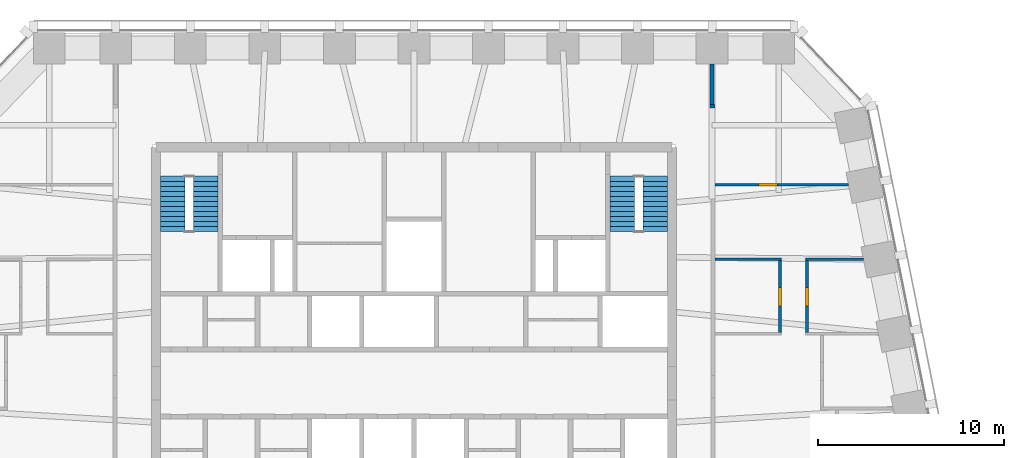
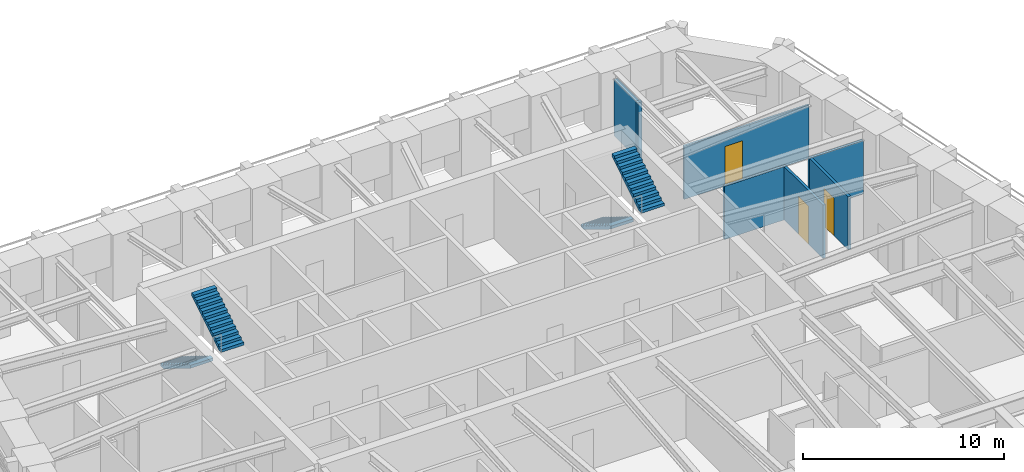
# One storey, part 10 of 12: 7 walls, 4 stair flights, 3 doors, 3 openings, 2 elements without a shape of their own.
"""IFC4 building model written with IfcOpenShell, lengths in metres."""

from ifc_helpers import new_model, si_unit, direction, frame, frame_2d, origin, place, context, subcontext, project, spatial, polyline, rectangle, outline, extrude, material, layer, layer_set, type_object, element, fill, aggregate, save


model = new_model("IFC4")

# Units and contexts
model_context = context("Model", 3, precision=1e-05, world=origin(), true_north=direction((0.0, 1.0)))
body_context = subcontext(model_context, "Body", "Model", "MODEL_VIEW")
ifc_project = project(units=[si_unit("LENGTHUNIT", "METRE"), si_unit("AREAUNIT", "SQUARE_METRE"), si_unit("VOLUMEUNIT", "CUBIC_METRE"), si_unit("PLANEANGLEUNIT", "RADIAN"), si_unit("MASSUNIT", "GRAM", prefix="KILO")], contexts=[model_context])

# Site, building, storey
site_placement = place(None, origin())
site = spatial("IfcSite", under=ifc_project, at=site_placement, CompositionType="ELEMENT")
building_placement = place(site_placement, origin())
building = spatial("IfcBuilding", under=site, at=building_placement, Name="Isbrekke Arena Tower", CompositionType="ELEMENT")
storey_placement = place(building_placement, frame((0.0, 0.0, 256.0)))
storey = spatial("IfcBuildingStorey", under=building, at=storey_placement, Name="L59", CompositionType="ELEMENT", Elevation=256.0)

# Walls
ifc_material_1 = material(Name="Gypsum board partition on steel studs", Category="steel")
ifc_layer_1 = layer(ifc_material_1, 0.14990234375)
ifc_layer_set_1 = layer_set([ifc_layer_1], Name="IW1 PARTITION 150")
wall_type_1 = type_object("IfcWallType", Name="IW1 PARTITION 150", PredefinedType="PARTITIONING", material=ifc_layer_set_1)
wall_1_placement = place(storey_placement, frame((16.14990234375, 17.840087890625, 0.0), z_axis=(0.0, 0.0, 1.0), x_axis=(1.0, 0.0, 0.0)))
element("IfcWall", 1, at=wall_1_placement, inside=storey, type_object=wall_type_1, Name="IW1 partition 150 L59", PredefinedType="PARTITIONING", context=body_context, shape_type="SweptSolid", body=[
    extrude(rectangle(XDim=3.5751953125, YDim=0.14990234375, at=frame_2d((1.78759765625, 0.0))), origin(), (0.0, 0.0, 1.0), 3.22998046875),
])
wall_2_placement = place(storey_placement, frame((21.02490234375, 17.840087890625, 0.0), z_axis=(0.0, 0.0, 1.0), x_axis=(1.0, 0.0, 0.0)))
element("IfcWall", 2, at=wall_2_placement, inside=storey, type_object=wall_type_1, Name="IW1 partition 150 L59", PredefinedType="PARTITIONING", context=body_context, shape_type="SweptSolid", body=[
    extrude(rectangle(XDim=3.098876953125, YDim=0.14990234375, at=frame_2d((1.54931640625, 0.0))), origin(), (0.0, 0.0, 1.0), 3.22998046875),
])

# Wall, opening, door
wall_3_placement = place(storey_placement, frame((19.64990234375, 13.9150390625, 0.0), z_axis=(0.0, 0.0, 1.0), x_axis=(0.0, 1.0, 0.0)))
wall_3 = element("IfcWall", 3, at=wall_3_placement, inside=storey, type_object=wall_type_1, Name="IW1 partition 150 L59", PredefinedType="PARTITIONING", context=body_context, shape_type="SweptSolid", body=[
    extrude(rectangle(XDim=3.849853515625, YDim=0.14990234375, at=frame_2d((1.9248046875, 0.0))), origin(), (0.0, 0.0, 1.0), 3.22998046875),
])
opening_1_placement = place(wall_3_placement, frame((1.425048828125, 0.0, 0.0)))
opening_1 = element("IfcOpeningElement", 4, at=opening_1_placement, cuts=wall_3, Name="Opening D10", PredefinedType="OPENING", context=body_context, shape_type="SweptSolid", body=[
    extrude(rectangle(XDim=1.0, YDim=2.300048828125, at=frame_2d((0.5, 1.14990234375))), frame((0.0, 0.08984375, 0.0), z_axis=(0.0, -1.0, 0.0), x_axis=(1.0, 0.0, 0.0)), (0.0, 0.0, 1.0), 0.1796875),
])
ifc_material_2 = material(Name="Timber door", Category="wood")
door_type_1 = type_object("IfcDoorType", Name="D10 OFFICE DOOR 1000 x 2300", OperationType="SINGLE_SWING_LEFT", PredefinedType="DOOR", material=ifc_material_2)
door_1_placement = place(opening_1_placement, origin())
door_1 = element("IfcDoor", 5, at=door_1_placement, inside=storey, type_object=door_type_1, Name="D10 pantry door L59", OperationType="SINGLE_SWING_LEFT", OverallHeight=2.300048828125, OverallWidth=1.0, PredefinedType="DOOR", context=body_context, shape_type="SweptSolid", body=[
    extrude(rectangle(XDim=1.0, YDim=2.300048828125, at=frame_2d((0.5, 1.14990234375))), frame((0.0, 0.07470703125, 0.0), z_axis=(0.0, -1.0, 0.0), x_axis=(1.0, 0.0, 0.0)), (0.0, 0.0, 1.0), 0.1494140625),
])
fill(opening_1, door_1)

wall_4_placement = place(storey_placement, frame((21.10009765625, 13.9150390625, 0.0), z_axis=(0.0, 0.0, 1.0), x_axis=(0.0, 1.0, 0.0)))
wall_4 = element("IfcWall", 6, at=wall_4_placement, inside=storey, type_object=wall_type_1, Name="IW1 partition 150 L59", PredefinedType="PARTITIONING", context=body_context, shape_type="SweptSolid", body=[
    extrude(rectangle(XDim=3.849853515625, YDim=0.14990234375, at=frame_2d((1.9248046875, 0.0))), origin(), (0.0, 0.0, 1.0), 3.22998046875),
])
opening_2_placement = place(wall_4_placement, frame((1.425048828125, 0.0, 0.0)))
opening_2 = element("IfcOpeningElement", 7, at=opening_2_placement, cuts=wall_4, Name="Opening D10", PredefinedType="OPENING", context=body_context, shape_type="SweptSolid", body=[
    extrude(rectangle(XDim=1.0, YDim=2.300048828125, at=frame_2d((0.5, 1.14990234375))), frame((0.0, 0.08984375, 0.0), z_axis=(0.0, -1.0, 0.0), x_axis=(1.0, 0.0, 0.0)), (0.0, 0.0, 1.0), 0.1796875),
])
door_2_placement = place(opening_2_placement, origin())
door_2 = element("IfcDoor", 8, at=door_2_placement, inside=storey, type_object=door_type_1, Name="D10 office door L59", OperationType="SINGLE_SWING_LEFT", OverallHeight=2.300048828125, OverallWidth=1.0, PredefinedType="DOOR", context=body_context, shape_type="SweptSolid", body=[
    extrude(rectangle(XDim=1.0, YDim=2.300048828125, at=frame_2d((0.5, 1.14990234375))), frame((0.0, 0.07470703125, 0.0), z_axis=(0.0, -1.0, 0.0), x_axis=(1.0, 0.0, 0.0)), (0.0, 0.0, 1.0), 0.1494140625),
])
fill(opening_2, door_2)

ifc_material_3 = material(Name="Frameless glazed partition, laminated acoustic glass", Category="glass")
ifc_layer_2 = layer(ifc_material_3, 0.1201171875)
ifc_layer_set_2 = layer_set([ifc_layer_2], Name="IW2 GLAZED PARTITION 120")
wall_type_2 = type_object("IfcWallType", Name="IW2 GLAZED PARTITION 120", PredefinedType="PARTITIONING", material=ifc_layer_set_2)
wall_5_placement = place(storey_placement, frame((16.14990234375, 21.840087890625, 0.0), z_axis=(0.0, 0.0, 1.0), x_axis=(1.0, 0.0, 0.0)))
wall_5 = element("IfcWall", 9, at=wall_5_placement, inside=storey, type_object=wall_type_2, Name="IW2 glazed partition 120 L59", PredefinedType="PARTITIONING", context=body_context, shape_type="SweptSolid", body=[
    extrude(rectangle(XDim=7.173828125, YDim=0.1201171875, at=frame_2d((3.5869140625, 0.0))), origin(), (0.0, 0.0, 1.0), 3.22998046875),
])
opening_3_placement = place(wall_5_placement, frame((2.35009765625, 0.0, 0.0)))
opening_3 = element("IfcOpeningElement", 10, at=opening_3_placement, cuts=wall_5, Name="Opening D11", PredefinedType="OPENING", context=body_context, shape_type="SweptSolid", body=[
    extrude(rectangle(XDim=1.0, YDim=2.39990234375, at=frame_2d((0.5, 1.199951171875))), frame((0.0, 0.074951171875, 0.0), z_axis=(0.0, -1.0, 0.0), x_axis=(1.0, 0.0, 0.0)), (0.0, 0.0, 1.0), 0.14990234375),
])
ifc_material_4 = material(Name="Frameless glazed door", Category="glass")
door_type_2 = type_object("IfcDoorType", Name="D11 GLAZED MEETING ROOM DOOR 1000 x 2400", OperationType="SINGLE_SWING_RIGHT", PredefinedType="DOOR", material=ifc_material_4)
door_3_placement = place(opening_3_placement, origin())
door_3 = element("IfcDoor", 11, at=door_3_placement, inside=storey, type_object=door_type_2, Name="D11 meeting room door L59", OperationType="SINGLE_SWING_RIGHT", OverallHeight=2.39990234375, OverallWidth=1.0, PredefinedType="DOOR", context=body_context, shape_type="SweptSolid", body=[
    extrude(rectangle(XDim=1.0, YDim=2.39990234375, at=frame_2d((0.5, 1.199951171875))), frame((0.0, 0.059814453125, 0.0), z_axis=(0.0, -1.0, 0.0), x_axis=(1.0, 0.0, 0.0)), (0.0, 0.0, 1.0), 0.11962890625),
])
fill(opening_3, door_3)

# Walls
ifc_material_5 = material(Name="Gypsum board fire-cell wall on steel studs, two layers each side", Category="steel")
ifc_layer_3 = layer(ifc_material_5, 0.199951171875)
ifc_layer_set_3 = layer_set([ifc_layer_3], Name="IW3 FIRE-CELL WALL 200")
wall_type_3 = type_object("IfcWallType", Name="IW3 FIRE-CELL WALL 200", PredefinedType="PARTITIONING", material=ifc_layer_set_3)
wall_6_placement = place(storey_placement, frame((15.89990234375, 26.050048828125, 0.0), z_axis=(0.0, 0.0, 1.0), x_axis=(1.0, 0.0, 0.0)))
element("IfcWall", 12, at=wall_6_placement, inside=storey, type_object=wall_type_3, Name="IW3 fire-cell wall 200 L59", PredefinedType="PARTITIONING", context=body_context, shape_type="SweptSolid", body=[
    extrude(rectangle(XDim=0.25, YDim=0.199951171875, at=frame_2d((0.125, 0.0))), origin(), (0.0, 0.0, 1.0), 3.41796875),
])
wall_7_placement = place(storey_placement, frame((16.0, 26.14990234375, 0.0), z_axis=(0.0, 0.0, 1.0), x_axis=(0.0, 1.0, 0.0)))
element("IfcWall", 13, at=wall_7_placement, inside=storey, type_object=wall_type_3, Name="IW3 fire-cell wall 200 L59", PredefinedType="PARTITIONING", context=body_context, shape_type="SweptSolid", body=[
    extrude(rectangle(XDim=2.175048828125, YDim=0.199951171875, at=frame_2d((1.08740234375, 0.0))), origin(), (0.0, 0.0, 1.0), 3.41796875),
])

# Stair, stair flights
ifc_material_6 = material(Name="Concrete B45 (C45/55) precast", Category="concrete")
stair_type = type_object("IfcStairType", Name="ST40 STAIR 1300 WIDE, 24 RISERS 167", PredefinedType="HALF_TURN_STAIR", material=ifc_material_6)
stair_1_placement = place(storey_placement, origin())
stair_1 = element("IfcStair", 14, at=stair_1_placement, inside=storey, type_object=stair_type, Name="ST1 stair L59", PredefinedType="HALF_TURN_STAIR")
ifc_material_7 = material(Name="Concrete B45 (C45/55) precast", Category="concrete")
stair_flight_type = type_object("IfcStairFlightType", Name="SF 1300 FLIGHT", PredefinedType="STRAIGHT", material=ifc_material_7)
stair_flight_1_placement = place(storey_placement, frame((-12.949951171875, 22.300048828125, 0.0), z_axis=(0.0, 0.0, 1.0), x_axis=(0.0, -1.0, 0.0)))
stair_flight_1 = element("IfcStairFlight", 15, at=stair_flight_1_placement, type_object=stair_flight_type, Name="ST1 flight 1", NumberOfRisers=12, NumberOfTreads=11, PredefinedType="STRAIGHT", RiserHeight=0.166666667, TreadLength=0.27, context=body_context, shape_type="SweptSolid", body=[
    extrude(outline(polyline([(0.0, 0.0), (0.0, 0.166748046875), (0.27001953125, 0.166748046875), (0.27001953125, 0.333251953125), (0.5400390625, 0.333251953125), (0.5400390625, 0.5), (0.81005859375, 0.5), (0.81005859375, 0.666748046875), (1.080078125, 0.666748046875), (1.080078125, 0.833251953125), (1.35009765625, 0.833251953125), (1.35009765625, 1.0), (1.6201171875, 1.0), (1.6201171875, 1.166748046875), (1.889892578125, 1.166748046875), (1.889892578125, 1.333251953125), (2.159912109375, 1.333251953125), (2.159912109375, 1.5), (2.429931640625, 1.5), (2.429931640625, 1.666748046875), (2.699951171875, 1.666748046875), (2.699951171875, 1.833251953125), (2.969970703125, 1.833251953125), (2.969970703125, 2.0), (2.969970703125, 1.6572265625), (0.285400390625, 0.0), (0.0, 0.0)])), frame((0.0, 0.64990234375, 0.0), z_axis=(0.0, -1.0, 0.0), x_axis=(1.0, 0.0, 0.0)), (0.0, 0.0, 1.0), 1.300048828125),
])
stair_flight_2_placement = place(storey_placement, frame((-11.175048828125, 19.330078125, 2.0), z_axis=(0.0, 0.0, 1.0), x_axis=(0.0, 1.0, 0.0)))
stair_flight_2 = element("IfcStairFlight", 16, at=stair_flight_2_placement, type_object=stair_flight_type, Name="ST1 flight 2", NumberOfRisers=12, NumberOfTreads=11, PredefinedType="STRAIGHT", RiserHeight=0.166666667, TreadLength=0.27, context=body_context, shape_type="SweptSolid", body=[
    extrude(outline(polyline([(0.0, 0.0), (0.0, 0.166748046875), (0.27001953125, 0.166748046875), (0.27001953125, 0.333251953125), (0.5400390625, 0.333251953125), (0.5400390625, 0.5), (0.81005859375, 0.5), (0.81005859375, 0.666748046875), (1.080078125, 0.666748046875), (1.080078125, 0.833251953125), (1.35009765625, 0.833251953125), (1.35009765625, 1.0), (1.6201171875, 1.0), (1.6201171875, 1.166748046875), (1.889892578125, 1.166748046875), (1.889892578125, 1.333251953125), (2.159912109375, 1.333251953125), (2.159912109375, 1.5), (2.429931640625, 1.5), (2.429931640625, 1.666748046875), (2.699951171875, 1.666748046875), (2.699951171875, 1.833251953125), (2.969970703125, 1.833251953125), (2.969970703125, 2.0), (2.969970703125, 1.6572265625), (0.285400390625, 0.0), (0.0, 0.0)])), frame((0.0, 0.64990234375, 0.0), z_axis=(0.0, -1.0, 0.0), x_axis=(1.0, 0.0, 0.0)), (0.0, 0.0, 1.0), 1.300048828125),
])
aggregate(stair_1, [stair_flight_1, stair_flight_2])

stair_2_placement = place(storey_placement, origin())
stair_2 = element("IfcStair", 17, at=stair_2_placement, inside=storey, type_object=stair_type, Name="ST2 stair L59", PredefinedType="HALF_TURN_STAIR")
stair_flight_3_placement = place(storey_placement, frame((11.175048828125, 22.300048828125, 0.0), z_axis=(0.0, 0.0, 1.0), x_axis=(0.0, -1.0, 0.0)))
stair_flight_3 = element("IfcStairFlight", 18, at=stair_flight_3_placement, type_object=stair_flight_type, Name="ST2 flight 1", NumberOfRisers=12, NumberOfTreads=11, PredefinedType="STRAIGHT", RiserHeight=0.166666667, TreadLength=0.27, context=body_context, shape_type="SweptSolid", body=[
    extrude(outline(polyline([(0.0, 0.0), (0.0, 0.166748046875), (0.27001953125, 0.166748046875), (0.27001953125, 0.333251953125), (0.5400390625, 0.333251953125), (0.5400390625, 0.5), (0.81005859375, 0.5), (0.81005859375, 0.666748046875), (1.080078125, 0.666748046875), (1.080078125, 0.833251953125), (1.35009765625, 0.833251953125), (1.35009765625, 1.0), (1.6201171875, 1.0), (1.6201171875, 1.166748046875), (1.889892578125, 1.166748046875), (1.889892578125, 1.333251953125), (2.159912109375, 1.333251953125), (2.159912109375, 1.5), (2.429931640625, 1.5), (2.429931640625, 1.666748046875), (2.699951171875, 1.666748046875), (2.699951171875, 1.833251953125), (2.969970703125, 1.833251953125), (2.969970703125, 2.0), (2.969970703125, 1.6572265625), (0.285400390625, 0.0), (0.0, 0.0)])), frame((0.0, 0.64990234375, 0.0), z_axis=(0.0, -1.0, 0.0), x_axis=(1.0, 0.0, 0.0)), (0.0, 0.0, 1.0), 1.300048828125),
])
stair_flight_4_placement = place(storey_placement, frame((12.949951171875, 19.330078125, 2.0), z_axis=(0.0, 0.0, 1.0), x_axis=(0.0, 1.0, 0.0)))
stair_flight_4 = element("IfcStairFlight", 19, at=stair_flight_4_placement, type_object=stair_flight_type, Name="ST2 flight 2", NumberOfRisers=12, NumberOfTreads=11, PredefinedType="STRAIGHT", RiserHeight=0.166666667, TreadLength=0.27, context=body_context, shape_type="SweptSolid", body=[
    extrude(outline(polyline([(0.0, 0.0), (0.0, 0.166748046875), (0.27001953125, 0.166748046875), (0.27001953125, 0.333251953125), (0.5400390625, 0.333251953125), (0.5400390625, 0.5), (0.81005859375, 0.5), (0.81005859375, 0.666748046875), (1.080078125, 0.666748046875), (1.080078125, 0.833251953125), (1.35009765625, 0.833251953125), (1.35009765625, 1.0), (1.6201171875, 1.0), (1.6201171875, 1.166748046875), (1.889892578125, 1.166748046875), (1.889892578125, 1.333251953125), (2.159912109375, 1.333251953125), (2.159912109375, 1.5), (2.429931640625, 1.5), (2.429931640625, 1.666748046875), (2.699951171875, 1.666748046875), (2.699951171875, 1.833251953125), (2.969970703125, 1.833251953125), (2.969970703125, 2.0), (2.969970703125, 1.6572265625), (0.285400390625, 0.0), (0.0, 0.0)])), frame((0.0, 0.64990234375, 0.0), z_axis=(0.0, -1.0, 0.0), x_axis=(1.0, 0.0, 0.0)), (0.0, 0.0, 1.0), 1.300048828125),
])
aggregate(stair_2, [stair_flight_3, stair_flight_4])

save(model, "model.ifc")
